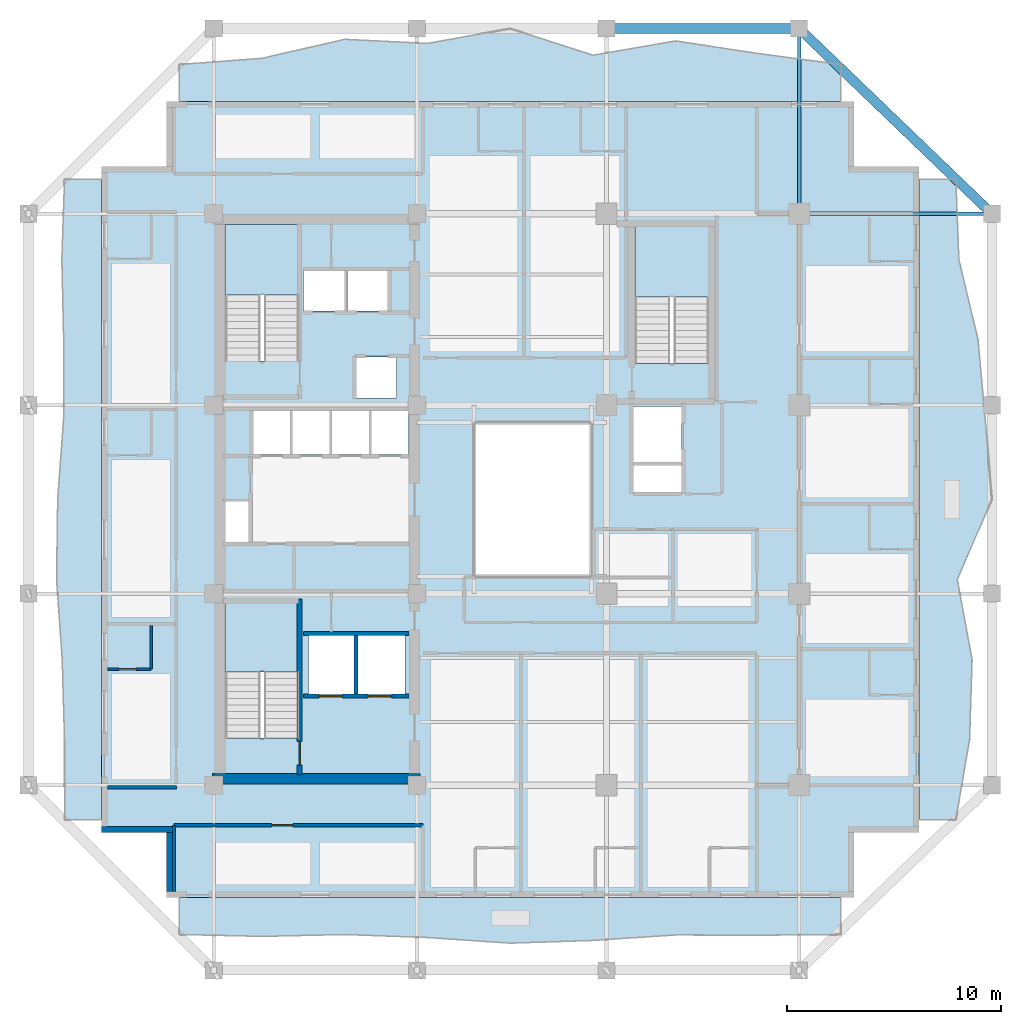
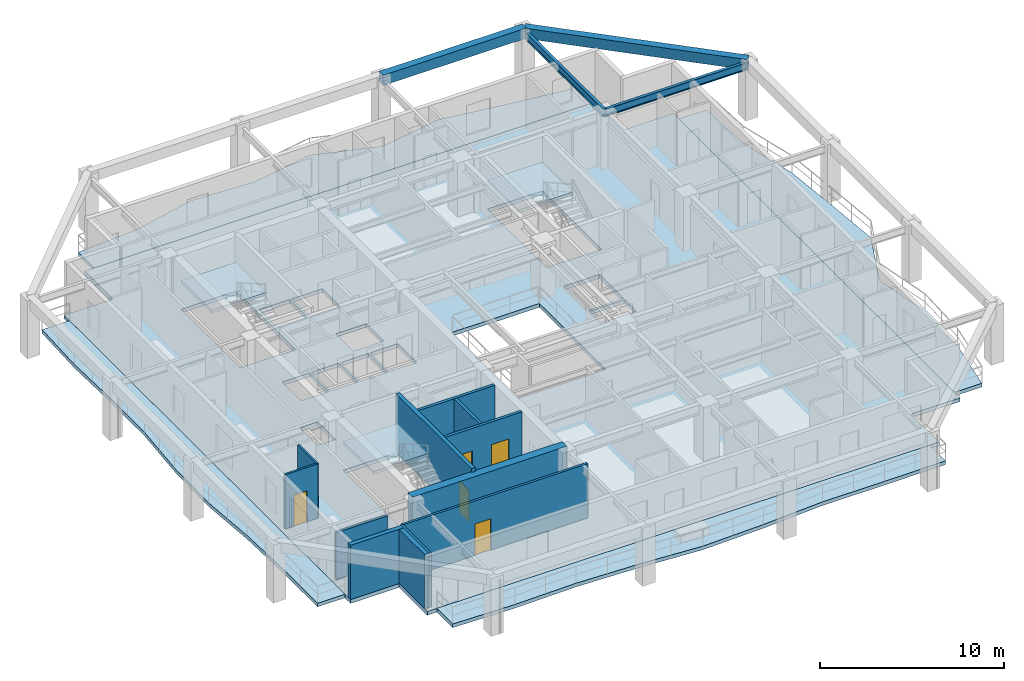
# One storey, part 2 of 12: 12 walls, 8 slabs, 5 doors, 4 beams, 5 openings, 3 elements without a shape of their own.
"""IFC4 building model written with IfcOpenShell, lengths in metres."""

from ifc_helpers import new_model, si_unit, direction, frame, frame_2d, origin, origin_2d, place, context, subcontext, project, spatial, polyline, rectangle, i_section, outline, extrude, material, layer, layer_set, material_profile, profile_set, type_object, element, fill, aggregate, save


model = new_model("IFC4")

# Units and contexts
model_context = context("Model", 3, precision=1e-05, world=origin(), true_north=direction((0.0, 1.0)))
body_context = subcontext(model_context, "Body", "Model", "MODEL_VIEW")
ifc_project = project(units=[si_unit("LENGTHUNIT", "METRE"), si_unit("AREAUNIT", "SQUARE_METRE"), si_unit("VOLUMEUNIT", "CUBIC_METRE"), si_unit("PLANEANGLEUNIT", "RADIAN"), si_unit("MASSUNIT", "GRAM", prefix="KILO")], contexts=[model_context])

# Site, building, storey
site_placement = place(None, origin())
site = spatial("IfcSite", under=ifc_project, at=site_placement, CompositionType="ELEMENT")
building_placement = place(site_placement, origin())
building = spatial("IfcBuilding", under=site, at=building_placement, Name="Kundavana Baori Tower", CompositionType="ELEMENT")
storey_placement = place(building_placement, frame((0.0, 0.0, 134.800048828125)))
storey = spatial("IfcBuildingStorey", under=building, at=storey_placement, Name="L32", CompositionType="ELEMENT", Elevation=134.800048828125)

# Beams
ifc_material_1 = material(Name="Concrete C50/60", Category="concrete")
ifc_material_profile_1 = material_profile(ifc_material_1, rectangle(XDim=0.449951171875, YDim=0.679931640625, at=origin_2d()), Name="RC BM 450x680")
ifc_profile_set_1 = profile_set([ifc_material_profile_1], Name="Concrete C50/60")
beam_type_1 = type_object("IfcBeamType", Name="BM-PF-680", PredefinedType="SPANDREL", material=ifc_profile_set_1)
beam_1_placement = place(storey_placement, frame((33.800048828125, 50.60009765625, 3.510009765625), z_axis=(1.0, 0.0, 0.0), x_axis=(0.0, 1.0, 0.0)))
element("IfcBeam", 1, at=beam_1_placement, inside=storey, type_object=beam_type_1, Name="L32 Perimeter Frame Ring Beam N3", PredefinedType="SPANDREL", context=body_context, shape_type="SweptSolid", body=[
    extrude(rectangle(XDim=0.449951171875, YDim=0.679931640625, at=origin_2d()), origin(), (0.0, 0.0, 1.0), 9.0),
])
beam_2_placement = place(storey_placement, frame((42.800048828125, 50.60009765625, 3.510009765625), z_axis=(0.720981122985, -0.692954702921, 0.0), x_axis=(0.692954702921, 0.720981122985, 0.0)))
element("IfcBeam", 2, at=beam_2_placement, inside=storey, type_object=beam_type_1, Name="L32 Notched Corner Perimeter Beam NE", PredefinedType="SPANDREL", context=body_context, shape_type="SweptSolid", body=[
    extrude(rectangle(XDim=0.449951171875, YDim=0.679931640625, at=origin_2d()), origin(), (0.0, 0.0, 1.0), 12.48291015625),
])
ifc_material_2 = material(Name="Structural Steel S355JR", Category="steel")
ifc_material_profile_2 = material_profile(ifc_material_2, i_section(OverallWidth=0.179931640625, OverallDepth=0.5, WebThickness=0.01025390625, FlangeThickness=0.01708984375, FilletRadius=0.01708984375, at=origin_2d()), Name="ISMB 500")
ifc_profile_set_2 = profile_set([ifc_material_profile_2], Name="Structural Steel S355JR")
beam_type_2 = type_object("IfcBeamType", Name="BM-TIE-500", PredefinedType="BEAM", material=ifc_profile_set_2)
beam_3_placement = place(storey_placement, frame((42.800048828125, 41.949951171875, 3.349853515625), z_axis=(0.0, 1.0, 0.0), x_axis=(-1.0, 0.0, 0.0)))
element("IfcBeam", 3, at=beam_3_placement, inside=storey, type_object=beam_type_2, Name="L32 North Radial Loggia Tie Beam N4", PredefinedType="BEAM", context=body_context, shape_type="SweptSolid", body=[
    extrude(i_section(OverallWidth=0.179931640625, OverallDepth=0.5, WebThickness=0.01025390625, FlangeThickness=0.01708984375, FilletRadius=0.01708984375, at=origin_2d()), origin(), (0.0, 0.0, 1.0), 8.650146484375),
])
beam_4_placement = place(storey_placement, frame((42.800048828125, 41.949951171875, 3.349853515625), z_axis=(1.0, 0.0, 0.0), x_axis=(0.0, 1.0, 0.0)))
element("IfcBeam", 4, at=beam_4_placement, inside=storey, type_object=beam_type_2, Name="L32 East Radial Loggia Tie Beam E4", PredefinedType="BEAM", context=body_context, shape_type="SweptSolid", body=[
    extrude(i_section(OverallWidth=0.179931640625, OverallDepth=0.5, WebThickness=0.01025390625, FlangeThickness=0.01708984375, FilletRadius=0.01708984375, at=origin_2d()), origin(), (0.0, 0.0, 1.0), 9.0),
])

# Slab
ifc_material_3 = material(Name="Concrete C40/50", Category="concrete")
ifc_layer_1 = layer(ifc_material_3, 0.25, Name="SLB-FLR-250")
ifc_layer_set_1 = layer_set([ifc_layer_1], Name="Concrete C40/50")
slab_type_1 = type_object("IfcSlabType", Name="SLB-FLR-250", PredefinedType="FLOOR", material=ifc_layer_set_1)
slab_1_placement = place(storey_placement, frame((0.0, 0.0, -0.25)))
element("IfcSlab", 5, at=slab_1_placement, inside=storey, type_object=slab_type_1, Name="L32 Structural Floor Slab", PredefinedType="FLOOR", context=body_context, shape_type="SweptSolid", body=[
    extrude(outline(polyline([(13.25, 10.0), (45.35009765625, 10.0), (45.35009765625, 13.050048828125), (48.39990234375, 13.050048828125), (48.39990234375, 44.14990234375), (45.35009765625, 44.14990234375), (45.35009765625, 47.199951171875), (13.25, 47.199951171875), (13.25, 44.14990234375), (10.199951171875, 44.14990234375), (10.199951171875, 13.050048828125), (13.25, 13.050048828125), (13.25, 10.0)]), holes=[polyline([(19.43994140625, 17.4619140625), (19.43994140625, 23.85009765625), (15.97998046875, 23.85009765625), (15.97998046875, 17.4619140625), (19.43994140625, 17.4619140625)]), polyline([(19.43994140625, 35.06201171875), (19.43994140625, 41.449951171875), (15.97998046875, 41.449951171875), (15.97998046875, 35.06201171875), (19.43994140625, 35.06201171875)]), polyline([(38.580078125, 34.9619140625), (38.580078125, 41.35009765625), (35.1201171875, 41.35009765625), (35.1201171875, 34.9619140625), (38.580078125, 34.9619140625)]), polyline([(17.300048828125, 30.699951171875), (19.02001953125, 30.699951171875), (19.02001953125, 32.75), (17.300048828125, 32.75), (17.300048828125, 30.699951171875)]), polyline([(19.139892578125, 30.699951171875), (20.860107421875, 30.699951171875), (20.860107421875, 32.75), (19.139892578125, 32.75), (19.139892578125, 30.699951171875)]), polyline([(20.97998046875, 30.699951171875), (22.699951171875, 30.699951171875), (22.699951171875, 32.75), (20.97998046875, 32.75), (20.97998046875, 30.699951171875)]), polyline([(22.820068359375, 30.699951171875), (24.5400390625, 30.699951171875), (24.5400390625, 32.75), (22.820068359375, 32.75), (22.820068359375, 30.699951171875)]), polyline([(19.64990234375, 37.39990234375), (21.550048828125, 37.39990234375), (21.550048828125, 39.300048828125), (19.64990234375, 39.300048828125), (19.64990234375, 37.39990234375)]), polyline([(21.699951171875, 37.39990234375), (23.60009765625, 37.39990234375), (23.60009765625, 39.300048828125), (21.699951171875, 39.300048828125), (21.699951171875, 37.39990234375)]), polyline([(22.10009765625, 33.35009765625), (24.0, 33.35009765625), (24.0, 35.25), (22.10009765625, 35.25), (22.10009765625, 33.35009765625)]), polyline([(19.8798828125, 19.5), (22.02001953125, 19.5), (22.02001953125, 22.25), (19.8798828125, 22.25), (19.8798828125, 19.5)]), polyline([(22.179931640625, 19.5), (24.3798828125, 19.5), (24.3798828125, 22.25), (22.179931640625, 22.25), (22.179931640625, 19.5)]), polyline([(35.050048828125, 30.35009765625), (37.300048828125, 30.35009765625), (37.300048828125, 32.949951171875), (35.050048828125, 32.949951171875), (35.050048828125, 30.35009765625)]), polyline([(15.949951171875, 26.60009765625), (17.080078125, 26.60009765625), (17.080078125, 28.5), (15.949951171875, 28.5), (15.949951171875, 26.60009765625)]), polyline([(35.050048828125, 28.949951171875), (37.300048828125, 28.949951171875), (37.300048828125, 30.199951171875), (35.050048828125, 30.199951171875), (35.050048828125, 28.949951171875)]), polyline([(27.60009765625, 25.0), (33.10009765625, 25.0), (33.10009765625, 32.199951171875), (27.60009765625, 32.199951171875), (27.60009765625, 25.0)])]), origin(), (0.0, 0.0, 1.0), 0.25),
])

# Stair, slab
ifc_material_4 = material(Name="Concrete C40/50", Category="concrete")
stair_type = type_object("IfcStairType", Name="STR-DOG-1650", PredefinedType="HALF_TURN_STAIR", material=ifc_material_4)
stair_1_placement = place(storey_placement, origin())
stair_1 = element("IfcStair", 6, at=stair_1_placement, inside=storey, type_object=stair_type, Name="L32 Protected Exit Stair ST1", PredefinedType="HALF_TURN_STAIR")
ifc_material_5 = material(Name="Concrete C40/50", Category="concrete")
ifc_layer_2 = layer(ifc_material_5, 0.199951171875, Name="SLB-LND-200")
ifc_layer_set_2 = layer_set([ifc_layer_2], Name="Concrete C40/50")
slab_type_2 = type_object("IfcSlabType", Name="SLB-LND-200", PredefinedType="LANDING", material=ifc_layer_set_2)
slab_2_placement = place(storey_placement, frame((0.0, 0.0, 1.724853515625)))
slab_2 = element("IfcSlab", 7, at=slab_2_placement, type_object=slab_type_2, Name="ST1 landing 1", PredefinedType="LANDING", context=body_context, shape_type="SweptSolid", body=[
    extrude(outline(polyline([(19.43994140625, 20.550048828125), (19.43994140625, 23.85009765625), (15.97998046875, 23.85009765625), (15.97998046875, 20.550048828125), (19.43994140625, 20.550048828125)])), origin(), (0.0, 0.0, 1.0), 0.2001953125),
])
aggregate(stair_1, [slab_2])

stair_2_placement = place(storey_placement, origin())
stair_2 = element("IfcStair", 8, at=stair_2_placement, inside=storey, type_object=stair_type, Name="L32 Protected Exit Stair ST2", PredefinedType="HALF_TURN_STAIR")
slab_3_placement = place(storey_placement, frame((0.0, 0.0, 1.724853515625)))
slab_3 = element("IfcSlab", 9, at=slab_3_placement, type_object=slab_type_2, Name="ST2 landing 1", PredefinedType="LANDING", context=body_context, shape_type="SweptSolid", body=[
    extrude(outline(polyline([(19.43994140625, 38.14990234375), (19.43994140625, 41.449951171875), (15.97998046875, 41.449951171875), (15.97998046875, 38.14990234375), (19.43994140625, 38.14990234375)])), origin(), (0.0, 0.0, 1.0), 0.2001953125),
])
aggregate(stair_2, [slab_3])

stair_3_placement = place(storey_placement, origin())
stair_3 = element("IfcStair", 10, at=stair_3_placement, inside=storey, type_object=stair_type, Name="L32 Protected Exit Stair ST3", PredefinedType="HALF_TURN_STAIR")
slab_4_placement = place(storey_placement, frame((0.0, 0.0, 1.724853515625)))
slab_4 = element("IfcSlab", 11, at=slab_4_placement, type_object=slab_type_2, Name="ST3 landing 1", PredefinedType="LANDING", context=body_context, shape_type="SweptSolid", body=[
    extrude(outline(polyline([(38.580078125, 38.050048828125), (38.580078125, 41.35009765625), (35.1201171875, 41.35009765625), (35.1201171875, 38.050048828125), (38.580078125, 38.050048828125)])), origin(), (0.0, 0.0, 1.0), 0.2001953125),
])
aggregate(stair_3, [slab_4])

# Slabs
ifc_material_6 = material(Name="Concrete C40/50", Category="concrete")
ifc_layer_3 = layer(ifc_material_6, 0.239990234375, Name="SLB-LOG-240")
ifc_layer_set_3 = layer_set([ifc_layer_3], Name="Concrete C40/50")
slab_type_3 = type_object("IfcSlabType", Name="SLB-LOG-240", PredefinedType="FLOOR", material=ifc_layer_set_3)
slab_5_placement = place(storey_placement, frame((0.0, 0.0, -0.239990234375)))
element("IfcSlab", 12, at=slab_5_placement, inside=storey, type_object=slab_type_3, Name="L32 Planted Loggia Balcony Slab S", PredefinedType="FLOOR", context=body_context, shape_type="SweptSolid", body=[
    extrude(outline(polyline([(13.85009765625, 10.0), (44.75, 10.0), (44.75, 8.280029296875), (40.886962890625, 8.2470703125), (37.02490234375, 8.258056640625), (33.1630859375, 8.0009765625), (29.300048828125, 7.8740234375), (25.43798828125, 8.137939453125), (21.574951171875, 8.278076171875), (17.7119140625, 8.19189453125), (13.85009765625, 8.280029296875), (13.85009765625, 10.0)])), origin(), (0.0, 0.0, 1.0), 0.239990234375),
])
slab_6_placement = place(storey_placement, frame((0.0, 0.0, -0.239990234375)))
element("IfcSlab", 13, at=slab_6_placement, inside=storey, type_object=slab_type_3, Name="L32 Planted Loggia Balcony Slab E", PredefinedType="FLOOR", context=body_context, shape_type="SweptSolid", body=[
    extrude(outline(polyline([(48.39990234375, 13.64990234375), (48.39990234375, 43.550048828125), (50.1201171875, 43.550048828125), (50.260009765625, 39.81201171875), (51.154052734375, 36.074951171875), (51.491943359375, 32.3369140625), (51.800048828125, 28.60009765625), (50.18603515625, 24.862060546875), (50.876953125, 21.125), (50.760009765625, 17.386962890625), (50.1201171875, 13.64990234375), (48.39990234375, 13.64990234375)])), origin(), (0.0, 0.0, 1.0), 0.239990234375),
])
slab_7_placement = place(storey_placement, frame((0.0, 0.0, -0.239990234375)))
element("IfcSlab", 14, at=slab_7_placement, inside=storey, type_object=slab_type_3, Name="L32 Planted Loggia Balcony Slab N", PredefinedType="FLOOR", context=body_context, shape_type="SweptSolid", body=[
    extrude(outline(polyline([(44.75, 47.199951171875), (13.85009765625, 47.199951171875), (13.85009765625, 48.919921875), (17.7119140625, 49.2119140625), (21.574951171875, 50.097900390625), (25.43798828125, 49.905029296875), (29.300048828125, 50.60009765625), (33.1630859375, 49.35498046875), (37.02490234375, 50.02197265625), (40.886962890625, 49.43310546875), (44.75, 48.919921875), (44.75, 47.199951171875)])), origin(), (0.0, 0.0, 1.0), 0.239990234375),
])
slab_8_placement = place(storey_placement, frame((0.0, 0.0, -0.239990234375)))
element("IfcSlab", 15, at=slab_8_placement, inside=storey, type_object=slab_type_3, Name="L32 Planted Loggia Balcony Slab W", PredefinedType="FLOOR", context=body_context, shape_type="SweptSolid", body=[
    extrude(outline(polyline([(10.199951171875, 43.550048828125), (10.199951171875, 13.64990234375), (8.47998046875, 13.64990234375), (8.47900390625, 17.386962890625), (8.3720703125, 21.125), (8.10888671875, 24.862060546875), (8.158935546875, 28.60009765625), (8.43505859375, 32.3369140625), (8.44091796875, 36.074951171875), (8.35400390625, 39.81201171875), (8.47998046875, 43.550048828125), (10.199951171875, 43.550048828125)])), origin(), (0.0, 0.0, 1.0), 0.239990234375),
])

# Wall, opening, door
ifc_material_7 = material(Name="Concrete C50/60", Category="concrete")
ifc_layer_4 = layer(ifc_material_7, 0.39990234375, Name="WL-CORE-400")
ifc_layer_set_4 = layer_set([ifc_layer_4], Name="Concrete C50/60")
wall_type_1 = type_object("IfcWallType", Name="WL-CORE-400", PredefinedType="SHEAR", material=ifc_layer_set_4)
wall_1_placement = place(storey_placement, frame((19.4599609375, 15.739990234375, 0.0), z_axis=(0.0, 0.0, 1.0), x_axis=(0.0, 1.0, 0.0)))
wall_1 = element("IfcWall", 16, at=wall_1_placement, inside=storey, type_object=wall_type_1, Name="WL-L32-ST1-E", PredefinedType="SHEAR", context=body_context, shape_type="SweptSolid", body=[
    extrude(rectangle(XDim=8.199951171875, YDim=0.239990234375, at=frame_2d((4.10009765625, 0.0))), origin(), (0.0, 0.0, 1.0), 3.849853515625),
])
opening_1_placement = place(wall_1_placement, frame((0.449951171875, 0.0, 0.0)))
opening_1 = element("IfcOpeningElement", 17, at=opening_1_placement, cuts=wall_1, Name="Opening FD-110", PredefinedType="OPENING", context=body_context, shape_type="SweptSolid", body=[
    extrude(rectangle(XDim=1.10009765625, YDim=2.10009765625, at=frame_2d((0.550048828125, 1.050048828125))), frame((0.0, 0.1298828125, 0.0), z_axis=(0.0, -1.0, 0.0), x_axis=(1.0, 0.0, 0.0)), (0.0, 0.0, 1.0), 0.260009765625),
])
ifc_material_8 = material(Name="Galvanised Steel Fire-Rated Door Leaf", Category="steel")
door_type_1 = type_object("IfcDoorType", Name="DR-FD120-1100", OperationType="NOTDEFINED", PredefinedType="DOOR", material=ifc_material_8)
door_1_placement = place(opening_1_placement, origin())
door_1 = element("IfcDoor", 18, at=door_1_placement, inside=storey, type_object=door_type_1, Name="DR-L32-ST1", OperationType="SINGLE_SWING_LEFT", OverallHeight=2.10009765625, OverallWidth=1.10009765625, PredefinedType="DOOR", context=body_context, shape_type="SweptSolid", body=[
    extrude(rectangle(XDim=1.10009765625, YDim=2.10009765625, at=frame_2d((0.550048828125, 1.050048828125))), frame((0.0, 0.02490234375, 0.0), z_axis=(0.0, -1.0, 0.0), x_axis=(1.0, 0.0, 0.0)), (0.0, 0.0, 1.0), 0.050048828125),
])
fill(opening_1, door_1)

# Walls
ifc_material_9 = material(Name="Concrete C50/60", Category="concrete")
ifc_layer_5 = layer(ifc_material_9, 0.5, Name="WL-CORE-500")
ifc_layer_set_5 = layer_set([ifc_layer_5], Name="Concrete C50/60")
wall_type_2 = type_object("IfcWallType", Name="WL-CORE-500", PredefinedType="SHEAR", material=ifc_layer_set_5)
wall_2_placement = place(storey_placement, frame((15.39990234375, 15.56005859375, 0.0), z_axis=(0.0, 0.0, 1.0), x_axis=(1.0, 0.0, 0.0)))
element("IfcWall", 19, at=wall_2_placement, inside=storey, type_object=wall_type_2, Name="L32 Offset Core South Shear Wall", PredefinedType="SHEAR", context=body_context, shape_type="SweptSolid", body=[
    extrude(rectangle(XDim=9.68017578125, YDim=0.5, at=frame_2d((4.840087890625, 0.0))), origin(), (0.0, 0.0, 1.0), 3.599853515625),
])
ifc_material_10 = material(Name="Red-Buff Dholpur Sandstone Cladding on Concrete C40/50", Category="masonry")
ifc_layer_6 = layer(ifc_material_10, 0.280029296875, Name="WL-EXT-SAND-280")
ifc_layer_set_6 = layer_set([ifc_layer_6], Name="Red-Buff Dholpur Sandstone Cladding on Concrete C40/50")
wall_type_3 = type_object("IfcWallType", Name="WL-EXT-SAND-280", PredefinedType="STANDARD", material=ifc_layer_set_6)
wall_3_placement = place(storey_placement, frame((10.199951171875, 13.18994140625, 0.0), z_axis=(0.0, 0.0, 1.0), x_axis=(1.0, 0.0, 0.0)))
element("IfcWall", 20, at=wall_3_placement, inside=storey, type_object=wall_type_3, Name="L32 Exterior Insulated Facade Wall 11", PredefinedType="STANDARD", context=body_context, shape_type="SweptSolid", body=[
    extrude(rectangle(XDim=3.330078125, YDim=0.280029296875, at=frame_2d((1.6650390625, 0.0))), origin(), (0.0, 0.0, 1.0), 3.599853515625),
])
wall_4_placement = place(storey_placement, frame((13.389892578125, 13.050048828125, 0.0), z_axis=(0.0, 0.0, 1.0), x_axis=(0.0, -1.0, 0.0)))
element("IfcWall", 21, at=wall_4_placement, inside=storey, type_object=wall_type_3, Name="L32 Exterior Insulated Facade Wall 12", PredefinedType="STANDARD", context=body_context, shape_type="SweptSolid", body=[
    extrude(rectangle(XDim=2.77001953125, YDim=0.280029296875, at=frame_2d((1.385009765625, 0.0))), origin(), (0.0, 0.0, 1.0), 3.599853515625),
])
ifc_material_11 = material(Name="Fire-Rated Gypsum Drywall on Galvanised Steel Studs", Category="steel")
ifc_layer_7 = layer(ifc_material_11, 0.14990234375, Name="WL-PART-150")
ifc_layer_set_7 = layer_set([ifc_layer_7], Name="Fire-Rated Gypsum Drywall on Galvanised Steel Studs")
wall_type_4 = type_object("IfcWallType", Name="WL-PART-150", PredefinedType="PARTITIONING", material=ifc_layer_set_7)
wall_5_placement = place(storey_placement, frame((10.47998046875, 15.159912109375, 0.0), z_axis=(0.0, 0.0, 1.0), x_axis=(1.0, 0.0, 0.0)))
element("IfcWall", 22, at=wall_5_placement, inside=storey, type_object=wall_type_4, Name="WL-L32-HWS", PredefinedType="PARTITIONING", context=body_context, shape_type="SweptSolid", body=[
    extrude(rectangle(XDim=3.219970703125, YDim=0.14990234375, at=frame_2d((1.60986328125, 0.0))), origin(), (0.0, 0.0, 1.0), 3.099853515625),
])

# Wall, opening, door
wall_6_placement = place(storey_placement, frame((13.590087890625, 13.3798828125, 0.0), z_axis=(0.0, 0.0, 1.0), x_axis=(1.0, 0.0, 0.0)))
wall_6 = element("IfcWall", 23, at=wall_6_placement, inside=storey, type_object=wall_type_4, Name="WL-L32-HSC", PredefinedType="PARTITIONING", context=body_context, shape_type="SweptSolid", body=[
    extrude(rectangle(XDim=11.6298828125, YDim=0.14990234375, at=frame_2d((5.81494140625, 0.0))), origin(), (0.0, 0.0, 1.0), 3.599853515625),
])
opening_2_placement = place(wall_6_placement, frame((4.56005859375, 0.0, 0.0)))
opening_2 = element("IfcOpeningElement", 24, at=opening_2_placement, cuts=wall_6, Name="Opening ID-100", PredefinedType="OPENING", context=body_context, shape_type="SweptSolid", body=[
    extrude(rectangle(XDim=1.0, YDim=2.080078125, at=frame_2d((0.5, 1.0400390625))), frame((0.0, 0.0849609375, 0.0), z_axis=(0.0, -1.0, 0.0), x_axis=(1.0, 0.0, 0.0)), (0.0, 0.0, 1.0), 0.169921875),
])
ifc_material_12 = material(Name="Engineered Teak Solid-Core Timber Veneer", Category="wood")
door_type_2 = type_object("IfcDoorType", Name="DR-INT-1000", OperationType="NOTDEFINED", PredefinedType="DOOR", material=ifc_material_12)
door_2_placement = place(opening_2_placement, frame((1.0, 0.0, 0.0), z_axis=(0.0, 0.0, 1.0), x_axis=(-1.0, 0.0, 0.0)))
door_2 = element("IfcDoor", 25, at=door_2_placement, inside=storey, type_object=door_type_2, Name="DR-L32-HMSW", OperationType="SINGLE_SWING_LEFT", OverallHeight=2.080078125, OverallWidth=1.0, PredefinedType="DOOR", context=body_context, shape_type="SweptSolid", body=[
    extrude(rectangle(XDim=1.0, YDim=2.080078125, at=frame_2d((0.5, 1.0400390625))), frame((0.0, 0.02490234375, 0.0), z_axis=(0.0, -1.0, 0.0), x_axis=(1.0, 0.0, 0.0)), (0.0, 0.0, 1.0), 0.050048828125),
])
fill(opening_2, door_2)

# Wall
wall_7_placement = place(storey_placement, frame((13.590087890625, 10.280029296875, 0.0), z_axis=(0.0, 0.0, 1.0), x_axis=(0.0, 1.0, 0.0)))
element("IfcWall", 26, at=wall_7_placement, inside=storey, type_object=wall_type_4, Name="WL-L32-HSCW", PredefinedType="PARTITIONING", context=body_context, shape_type="SweptSolid", body=[
    extrude(rectangle(XDim=3.099853515625, YDim=0.14990234375, at=frame_2d((1.5498046875, 0.0))), origin(), (0.0, 0.0, 1.0), 3.599853515625),
])

# Wall, openings, doors
ifc_material_13 = material(Name="Autoclaved Aerated Concrete Blockwork Masonry", Category="masonry")
ifc_layer_8 = layer(ifc_material_13, 0.179931640625, Name="WL-SHAFT-180")
ifc_layer_set_8 = layer_set([ifc_layer_8], Name="Autoclaved Aerated Concrete Blockwork Masonry")
wall_type_5 = type_object("IfcWallType", Name="WL-SHAFT-180", PredefinedType="SOLIDWALL", material=ifc_layer_set_8)
wall_8_placement = place(storey_placement, frame((19.639892578125, 19.419921875, 0.0), z_axis=(0.0, 0.0, 1.0), x_axis=(1.0, 0.0, 0.0)))
wall_8 = element("IfcWall", 27, at=wall_8_placement, inside=storey, type_object=wall_type_5, Name="WL-L32-FFL-S", PredefinedType="SOLIDWALL", context=body_context, shape_type="SweptSolid", body=[
    extrude(rectangle(XDim=4.940185546875, YDim=0.179931640625, at=frame_2d((2.47021484375, 0.0))), origin(), (0.0, 0.0, 1.0), 3.599853515625),
])
opening_3_placement = place(wall_8_placement, frame((0.719970703125, 0.0, 0.0)))
opening_3 = element("IfcOpeningElement", 28, at=opening_3_placement, cuts=wall_8, Name="Opening LD-110", PredefinedType="OPENING", context=body_context, shape_type="SweptSolid", body=[
    extrude(rectangle(XDim=1.10009765625, YDim=2.10009765625, at=frame_2d((0.550048828125, 1.050048828125))), frame((0.0, 0.10009765625, 0.0), z_axis=(0.0, -1.0, 0.0), x_axis=(1.0, 0.0, 0.0)), (0.0, 0.0, 1.0), 0.199951171875),
])
opening_4_placement = place(wall_8_placement, frame((3.02001953125, 0.0, 0.0)))
opening_4 = element("IfcOpeningElement", 29, at=opening_4_placement, cuts=wall_8, Name="Opening LD-110", PredefinedType="OPENING", context=body_context, shape_type="SweptSolid", body=[
    extrude(rectangle(XDim=1.10009765625, YDim=2.10009765625, at=frame_2d((0.550048828125, 1.050048828125))), frame((0.0, 0.10009765625, 0.0), z_axis=(0.0, -1.0, 0.0), x_axis=(1.0, 0.0, 0.0)), (0.0, 0.0, 1.0), 0.199951171875),
])
ifc_material_14 = material(Name="Galvanised Steel Fire-Rated Door Leaf", Category="steel")
door_type_3 = type_object("IfcDoorType", Name="DR-SLIDE-LD1100", OperationType="NOTDEFINED", PredefinedType="DOOR", material=ifc_material_14)
door_3_placement = place(opening_3_placement, origin())
door_3 = element("IfcDoor", 30, at=door_3_placement, inside=storey, type_object=door_type_3, Name="DR-L32-LD-FFL-1", OperationType="DOUBLE_DOOR_SLIDING", OverallHeight=2.10009765625, OverallWidth=1.10009765625, PredefinedType="DOOR", context=body_context, shape_type="SweptSolid", body=[
    extrude(rectangle(XDim=1.10009765625, YDim=2.10009765625, at=frame_2d((0.550048828125, 1.050048828125))), frame((0.0, 0.02490234375, 0.0), z_axis=(0.0, -1.0, 0.0), x_axis=(1.0, 0.0, 0.0)), (0.0, 0.0, 1.0), 0.050048828125),
])
fill(opening_3, door_3)
door_4_placement = place(opening_4_placement, origin())
door_4 = element("IfcDoor", 31, at=door_4_placement, inside=storey, type_object=door_type_3, Name="DR-L32-LD-FFL-2", OperationType="DOUBLE_DOOR_SLIDING", OverallHeight=2.10009765625, OverallWidth=1.10009765625, PredefinedType="DOOR", context=body_context, shape_type="SweptSolid", body=[
    extrude(rectangle(XDim=1.10009765625, YDim=2.10009765625, at=frame_2d((0.550048828125, 1.050048828125))), frame((0.0, 0.02490234375, 0.0), z_axis=(0.0, -1.0, 0.0), x_axis=(1.0, 0.0, 0.0)), (0.0, 0.0, 1.0), 0.050048828125),
])
fill(opening_4, door_4)

# Walls
wall_9_placement = place(storey_placement, frame((22.10009765625, 19.510009765625, 0.0), z_axis=(0.0, 0.0, 1.0), x_axis=(0.0, 1.0, 0.0)))
element("IfcWall", 32, at=wall_9_placement, inside=storey, type_object=wall_type_5, Name="WL-L32-FFL-MID", PredefinedType="SOLIDWALL", context=body_context, shape_type="SweptSolid", body=[
    extrude(rectangle(XDim=2.739990234375, YDim=0.179931640625, at=frame_2d((1.3701171875, 0.0))), origin(), (0.0, 0.0, 1.0), 3.599853515625),
])
wall_10_placement = place(storey_placement, frame((19.639892578125, 22.340087890625, 0.0), z_axis=(0.0, 0.0, 1.0), x_axis=(1.0, 0.0, 0.0)))
element("IfcWall", 33, at=wall_10_placement, inside=storey, type_object=wall_type_5, Name="WL-L32-FFL-N", PredefinedType="SOLIDWALL", context=body_context, shape_type="SweptSolid", body=[
    extrude(rectangle(XDim=4.940185546875, YDim=0.179931640625, at=frame_2d((2.47021484375, 0.0))), origin(), (0.0, 0.0, 1.0), 3.599853515625),
])
ifc_material_15 = material(Name="Autoclaved Aerated Concrete Blockwork Masonry", Category="masonry")
ifc_layer_9 = layer(ifc_material_15, 0.125, Name="WL-WET-120")
ifc_layer_set_9 = layer_set([ifc_layer_9], Name="Autoclaved Aerated Concrete Blockwork Masonry")
wall_type_6 = type_object("IfcWallType", Name="WL-WET-120", PredefinedType="PLUMBINGWALL", material=ifc_layer_set_9)
wall_11_placement = place(storey_placement, frame((12.530029296875, 20.669921875, 0.0), z_axis=(0.0, 0.0, 1.0), x_axis=(0.0, 1.0, 0.0)))
element("IfcWall", 34, at=wall_11_placement, inside=storey, type_object=wall_type_6, Name="WL-L32-HK-W1-BE", PredefinedType="PLUMBINGWALL", context=body_context, shape_type="SweptSolid", body=[
    extrude(rectangle(XDim=2.050048828125, YDim=0.125, at=frame_2d((1.02490234375, 0.0))), origin(), (0.0, 0.0, 1.0), 3.599853515625),
])

# Wall, opening, door
wall_12_placement = place(storey_placement, frame((10.47998046875, 20.669921875, 0.0), z_axis=(0.0, 0.0, 1.0), x_axis=(1.0, 0.0, 0.0)))
wall_12 = element("IfcWall", 35, at=wall_12_placement, inside=storey, type_object=wall_type_6, Name="WL-L32-HK-W1-BS", PredefinedType="PLUMBINGWALL", context=body_context, shape_type="SweptSolid", body=[
    extrude(rectangle(XDim=2.050048828125, YDim=0.125, at=frame_2d((1.02490234375, 0.0))), origin(), (0.0, 0.0, 1.0), 3.599853515625),
])
opening_5_placement = place(wall_12_placement, frame((0.550048828125, 0.0, 0.0)))
opening_5 = element("IfcOpeningElement", 36, at=opening_5_placement, cuts=wall_12, Name="Opening WD-080", PredefinedType="OPENING", context=body_context, shape_type="SweptSolid", body=[
    extrude(rectangle(XDim=0.800048828125, YDim=2.050048828125, at=frame_2d((0.39990234375, 1.02490234375))), frame((0.0, 0.072509765625, 0.0), z_axis=(0.0, -1.0, 0.0), x_axis=(1.0, 0.0, 0.0)), (0.0, 0.0, 1.0), 0.14501953125),
])
ifc_material_16 = material(Name="Engineered Teak Solid-Core Timber Veneer", Category="wood")
door_type_4 = type_object("IfcDoorType", Name="DR-WET-800", OperationType="NOTDEFINED", PredefinedType="DOOR", material=ifc_material_16)
door_5_placement = place(opening_5_placement, frame((0.800048828125, 0.0, 0.0), z_axis=(0.0, 0.0, 1.0), x_axis=(-1.0, 0.0, 0.0)))
door_5 = element("IfcDoor", 37, at=door_5_placement, inside=storey, type_object=door_type_4, Name="DR-L32-HK-W1-ENS", OperationType="SINGLE_SWING_LEFT", OverallHeight=2.050048828125, OverallWidth=0.800048828125, PredefinedType="DOOR", context=body_context, shape_type="SweptSolid", body=[
    extrude(rectangle(XDim=0.800048828125, YDim=2.050048828125, at=frame_2d((0.39990234375, 1.02490234375))), frame((0.0, 0.02490234375, 0.0), z_axis=(0.0, -1.0, 0.0), x_axis=(1.0, 0.0, 0.0)), (0.0, 0.0, 1.0), 0.050048828125),
])
fill(opening_5, door_5)

save(model, "model.ifc")
